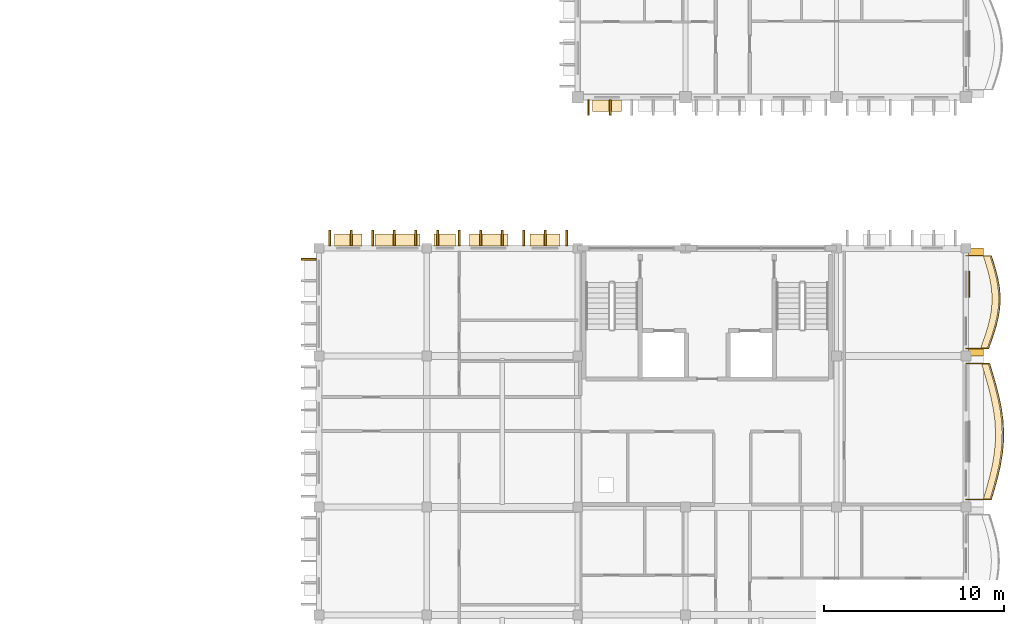
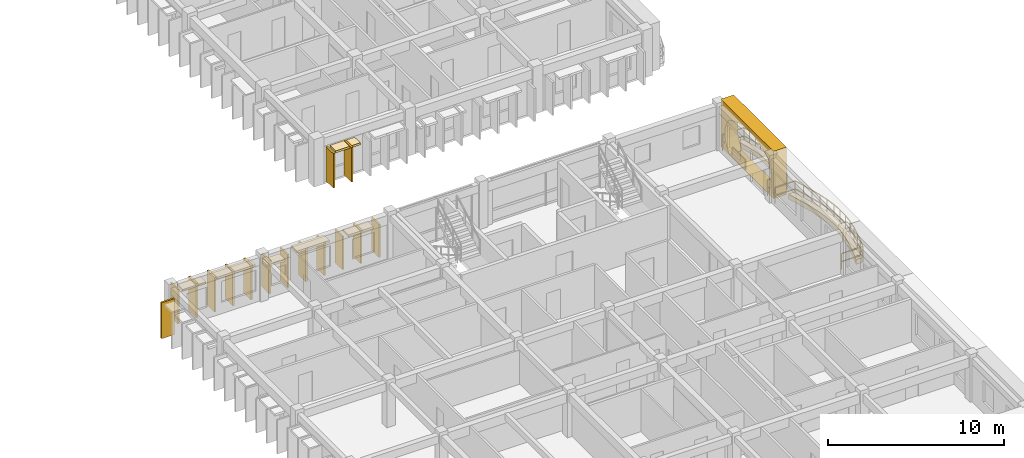
# One storey, part 64 of 70: 25 coverings, 2 railings.
"""IFC4 building model written with IfcOpenShell, lengths in metres."""

from ifc_helpers import new_model, si_unit, direction, frame, origin, origin_2d, place, context, subcontext, project, spatial, polyline, rectangle, outline, extrude, material, layer, layer_set, type_object, element, save


model = new_model("IFC4")

# Units and contexts
model_context = context("Model", 3, precision=1e-05, world=origin(), true_north=direction((0.0, 1.0)))
body_context = subcontext(model_context, "Body", "Model", "MODEL_VIEW")
ifc_project = project(units=[si_unit("LENGTHUNIT", "METRE"), si_unit("AREAUNIT", "SQUARE_METRE"), si_unit("VOLUMEUNIT", "CUBIC_METRE"), si_unit("PLANEANGLEUNIT", "RADIAN"), si_unit("MASSUNIT", "GRAM", prefix="KILO"), si_unit("THERMODYNAMICTEMPERATUREUNIT", "KELVIN")], contexts=[model_context])

# Site, building, storey
site_placement = place(None, origin())
site = spatial("IfcSite", under=ifc_project, at=site_placement, CompositionType="ELEMENT")
building_placement = place(site_placement, origin())
building = spatial("IfcBuilding", under=site, at=building_placement, Name="Thalorik Housing Commons", CompositionType="ELEMENT")
storey_placement = place(building_placement, frame((0.0, 0.0, 14.699951171875)))
storey = spatial("IfcBuildingStorey", under=building, at=storey_placement, Name="L04", CompositionType="ELEMENT", Elevation=14.699951171875)

# Coverings
ifc_material_1 = material(Name="Cobalt blue glazed ceramic facade tile panel", Category="masonry")
ifc_layer_1 = layer(ifc_material_1, 0.06005859375, Name="Cobalt blue glazed ceramic facade tile panel", Category="masonry")
ifc_layer_set_1 = layer_set([ifc_layer_1], Name="Cobalt blue glazed ceramic facade tile panel")
covering_type_1 = type_object("IfcCoveringType", Name="ARC-CLD-BLU-60", PredefinedType="CLADDING", material=ifc_layer_set_1)
covering_1_placement = place(storey_placement, frame((174.172607421875, 69.989990234375, 0.05029296875), z_axis=(0.0, 0.0, 1.0), x_axis=(0.0, 1.0, 0.0)))
element("IfcCovering", 1, at=covering_1_placement, inside=storey, type_object=covering_type_1, Name="L04 De Stijl Recessed Window Spandrel 4834", PredefinedType="CLADDING", context=body_context, shape_type="SweptSolid", body=[
    extrude(rectangle(XDim=1.449951171875, YDim=0.06005859375, at=origin_2d()), origin(), (0.0, 0.0, 1.0), 0.699951171875),
])
ifc_material_2 = material(Name="Precast concrete C40/50", Category="concrete")
ifc_layer_2 = layer(ifc_material_2, 0.85009765625, Name="Precast concrete C40/50", Category="concrete")
ifc_layer_set_2 = layer_set([ifc_layer_2], Name="Precast concrete C40/50")
covering_type_2 = type_object("IfcCoveringType", Name="ARC-CLD-CUSH-850", PredefinedType="CLADDING", material=ifc_layer_set_2)
covering_2_placement = place(storey_placement, frame((174.5625, 69.0, 0.0), z_axis=(0.0, 0.0, 1.0), x_axis=(0.0, 1.0, 0.0)))
element("IfcCovering", 2, at=covering_2_placement, inside=storey, type_object=covering_type_2, Name="L04 White Precast Curved Cushion Bay Frame 4833", PredefinedType="CLADDING", context=body_context, shape_type="SweptSolid", body=[
    extrude(outline(polyline([(-3.0, 0.0), (3.0, 0.0), (3.0, 3.300048828125), (-3.0, 3.300048828125), (-3.0, 0.0)]), holes=[polyline([(2.0400390625, 0.02490234375), (2.3232421875, 0.42431640625), (2.493408203125, 0.8232421875), (2.550048828125, 1.222412109375), (2.493408203125, 1.62158203125), (2.3232421875, 2.020751953125), (2.0400390625, 2.419921875), (1.66748046875, 2.608642578125), (1.294921875, 2.7568359375), (0.922607421875, 2.876953125), (0.550048828125, 2.96630859375), (0.177490234375, 3.021484375), (-0.195068359375, 3.0400390625), (-0.5673828125, 3.021484375), (-0.93994140625, 2.96630859375), (-1.3125, 2.876953125), (-1.68505859375, 2.7568359375), (-2.0576171875, 2.608642578125), (-2.429931640625, 2.419921875), (-2.55029296875, 2.020751953125), (-2.62255859375, 1.62158203125), (-2.646484375, 1.222412109375), (-2.62255859375, 0.8232421875), (-2.55029296875, 0.42431640625), (-2.429931640625, 0.02490234375), (2.0400390625, 0.02490234375)])]), frame((0.0, 0.425048828125, 0.0), z_axis=(0.0, -1.0, 0.0), x_axis=(1.0, 0.0, 0.0)), (0.0, 0.0, 1.0), 0.85009765625),
])
ifc_layer_3 = layer(ifc_material_2, 0.85009765625, Name="Precast concrete C40/50", Category="concrete")
ifc_layer_set_3 = layer_set([ifc_layer_3], Name="Precast concrete C40/50")
covering_type_3 = type_object("IfcCoveringType", Name="ARC-CLD-FIN-850", PredefinedType="CLADDING", material=ifc_layer_set_3)
for number, where, z_axis, x_axis, name in (
    (3, (153.0, 79.822509765625, 0.0400390625), (0.0, 0.0, 1.0), (1.0, 0.0, 0.0), "L04 Courtyard Precast Vertical Brise-Soleil Fin 2169"),
    (4, (154.199951171875, 79.822509765625, 0.0400390625), (0.0, 0.0, 1.0), (1.0, 0.0, 0.0), "L04 Courtyard Precast Vertical Brise-Soleil Fin 2170"),
):
    element("IfcCovering", number, at=place(storey_placement, frame(where, z_axis=z_axis, x_axis=x_axis)), inside=storey, type_object=covering_type_3, Name=name, PredefinedType="CLADDING", context=body_context, shape_type="SweptSolid", body=[
        extrude(rectangle(XDim=0.110107421875, YDim=0.85009765625, at=origin_2d()), origin(), (0.0, 0.0, 1.0), 2.39501953125),
    ])
for number, where, z_axis, x_axis, name in (
    (5, (151.800048828125, 72.5625, 0.0400390625), (0.0, 0.0, 1.0), (-1.0, 0.0, 0.0), "L04 Courtyard Precast Vertical Brise-Soleil Fin 4758"),
    (6, (150.60009765625, 72.5625, 0.0400390625), (0.0, 0.0, 1.0), (-1.0, 0.0, 0.0), "L04 Courtyard Precast Vertical Brise-Soleil Fin 4759"),
    (7, (149.39990234375, 72.5625, 0.0400390625), (0.0, 0.0, 1.0), (-1.0, 0.0, 0.0), "L04 Courtyard Precast Vertical Brise-Soleil Fin 4760"),
    (8, (148.199951171875, 72.5625, 0.0400390625), (0.0, 0.0, 1.0), (-1.0, 0.0, 0.0), "L04 Courtyard Precast Vertical Brise-Soleil Fin 4761"),
    (9, (147.0, 72.5625, 0.0400390625), (0.0, 0.0, 1.0), (-1.0, 0.0, 0.0), "L04 Courtyard Precast Vertical Brise-Soleil Fin 4762"),
    (10, (145.800048828125, 72.5625, 0.0400390625), (0.0, 0.0, 1.0), (-1.0, 0.0, 0.0), "L04 Courtyard Precast Vertical Brise-Soleil Fin 4763"),
    (11, (144.60009765625, 72.5625, 0.0400390625), (0.0, 0.0, 1.0), (-1.0, 0.0, 0.0), "L04 Courtyard Precast Vertical Brise-Soleil Fin 4764"),
):
    element("IfcCovering", number, at=place(storey_placement, frame(where, z_axis=z_axis, x_axis=x_axis)), inside=storey, type_object=covering_type_3, Name=name, PredefinedType="CLADDING", context=body_context, shape_type="SweptSolid", body=[
        extrude(rectangle(XDim=0.110107421875, YDim=0.85009765625, at=origin_2d()), origin(), (0.0, 0.0, 1.0), 2.294921875),
    ])
for number, where, z_axis, x_axis, name in (
    (12, (143.39990234375, 72.5625, 0.0400390625), (0.0, 0.0, 1.0), (-1.0, 0.0, 0.0), "L04 Courtyard Precast Vertical Brise-Soleil Fin 4768"),
    (13, (142.199951171875, 72.5625, 0.0400390625), (0.0, 0.0, 1.0), (-1.0, 0.0, 0.0), "L04 Courtyard Precast Vertical Brise-Soleil Fin 4769"),
    (14, (141.0, 72.5625, 0.0400390625), (0.0, 0.0, 1.0), (-1.0, 0.0, 0.0), "L04 Courtyard Precast Vertical Brise-Soleil Fin 4770"),
    (15, (139.800048828125, 72.5625, 0.0400390625), (0.0, 0.0, 1.0), (-1.0, 0.0, 0.0), "L04 Courtyard Precast Vertical Brise-Soleil Fin 4771"),
    (16, (138.60009765625, 72.5625, 0.0400390625), (0.0, 0.0, 1.0), (-1.0, 0.0, 0.0), "L04 Courtyard Precast Vertical Brise-Soleil Fin 4772"),
):
    element("IfcCovering", number, at=place(storey_placement, frame(where, z_axis=z_axis, x_axis=x_axis)), inside=storey, type_object=covering_type_3, Name=name, PredefinedType="CLADDING", context=body_context, shape_type="SweptSolid", body=[
        extrude(rectangle(XDim=0.110107421875, YDim=0.85009765625, at=origin_2d()), origin(), (0.0, 0.0, 1.0), 2.39501953125),
    ])
covering_3_placement = place(storey_placement, frame((137.4375, 71.39990234375, 0.0400390625), z_axis=(0.0, 0.0, 1.0), x_axis=(0.0, -1.0, 0.0)))
element("IfcCovering", 17, at=covering_3_placement, inside=storey, type_object=covering_type_3, Name="L04 Courtyard Precast Vertical Brise-Soleil Fin 4775", PredefinedType="CLADDING", context=body_context, shape_type="SweptSolid", body=[
    extrude(rectangle(XDim=0.110107421875, YDim=0.85009765625, at=origin_2d()), origin(), (0.0, 0.0, 1.0), 2.4951171875),
])
ifc_layer_4 = layer(ifc_material_2, 0.64990234375, Name="Precast concrete C40/50", Category="concrete")
ifc_layer_set_4 = layer_set([ifc_layer_4], Name="Precast concrete C40/50")
covering_type_4 = type_object("IfcCoveringType", Name="ARC-CLD-HOOD-650", PredefinedType="CLADDING", material=ifc_layer_set_4)
covering_4_placement = place(storey_placement, frame((154.030029296875, 79.922607421875, 2.27001953125), z_axis=(0.0, 0.0, 1.0), x_axis=(1.0, 0.0, 0.0)))
element("IfcCovering", 18, at=covering_4_placement, inside=storey, type_object=covering_type_4, Name="L04 Courtyard Precast Window Sun-Hood 2174", PredefinedType="CLADDING", context=body_context, shape_type="SweptSolid", body=[
    extrude(rectangle(XDim=1.6201171875, YDim=0.64990234375, at=origin_2d()), origin(), (0.0, 0.0, 1.0), 0.139892578125),
])
covering_5_placement = place(storey_placement, frame((150.5751953125, 72.46240234375, 2.169921875), z_axis=(0.0, 0.0, 1.0), x_axis=(-1.0, 0.0, 0.0)))
element("IfcCovering", 19, at=covering_5_placement, inside=storey, type_object=covering_type_4, Name="L04 Courtyard Precast Window Sun-Hood 4765", PredefinedType="CLADDING", context=body_context, shape_type="SweptSolid", body=[
    extrude(rectangle(XDim=1.659912109375, YDim=0.64990234375, at=origin_2d()), origin(), (0.0, 0.0, 1.0), 0.139892578125),
])
covering_6_placement = place(storey_placement, frame((147.4453125, 72.46240234375, 2.22509765625), z_axis=(0.0, 0.0, 1.0), x_axis=(-1.0, 0.0, 0.0)))
element("IfcCovering", 20, at=covering_6_placement, inside=storey, type_object=covering_type_4, Name="L04 Courtyard Precast Window Sun-Hood 4766", PredefinedType="CLADDING", context=body_context, shape_type="SweptSolid", body=[
    extrude(rectangle(XDim=2.159912109375, YDim=0.64990234375, at=origin_2d()), origin(), (0.0, 0.0, 1.0), 0.139892578125),
])
covering_7_placement = place(storey_placement, frame((145.000244140625, 72.46240234375, 1.93994140625), z_axis=(0.0, 0.0, 1.0), x_axis=(-1.0, 0.0, 0.0)))
element("IfcCovering", 21, at=covering_7_placement, inside=storey, type_object=covering_type_4, Name="L04 Courtyard Precast Window Sun-Hood 4767", PredefinedType="CLADDING", context=body_context, shape_type="SweptSolid", body=[
    extrude(rectangle(XDim=1.18994140625, YDim=0.64990234375, at=origin_2d()), origin(), (0.0, 0.0, 1.0), 0.139892578125),
])
covering_8_placement = place(storey_placement, frame((142.3701171875, 72.46240234375, 2.25), z_axis=(0.0, 0.0, 1.0), x_axis=(-1.0, 0.0, 0.0)))
element("IfcCovering", 22, at=covering_8_placement, inside=storey, type_object=covering_type_4, Name="L04 Courtyard Precast Window Sun-Hood 4773", PredefinedType="CLADDING", context=body_context, shape_type="SweptSolid", body=[
    extrude(rectangle(XDim=2.52001953125, YDim=0.64990234375, at=origin_2d()), origin(), (0.0, 0.0, 1.0), 0.139892578125),
])
covering_9_placement = place(storey_placement, frame((139.6298828125, 72.46240234375, 2.18994140625), z_axis=(0.0, 0.0, 1.0), x_axis=(-1.0, 0.0, 0.0)))
element("IfcCovering", 23, at=covering_9_placement, inside=storey, type_object=covering_type_4, Name="L04 Courtyard Precast Window Sun-Hood 4774", PredefinedType="CLADDING", context=body_context, shape_type="SweptSolid", body=[
    extrude(rectangle(XDim=1.5400390625, YDim=0.64990234375, at=origin_2d()), origin(), (0.0, 0.0, 1.0), 0.139892578125),
])
ifc_material_3 = material(Name="Planted vegetated substrate and terracotta trough", Category="masonry")
ifc_layer_5 = layer(ifc_material_3, 0.340087890625, Name="Planted vegetated substrate and terracotta trough", Category="masonry")
ifc_layer_set_5 = layer_set([ifc_layer_5], Name="Planted vegetated substrate and terracotta trough")
covering_type_5 = type_object("IfcCoveringType", Name="ARC-COV-PLANTER", PredefinedType="USERDEFINED", material=ifc_layer_set_5)
covering_10_placement = place(storey_placement, origin())
element("IfcCovering", 24, at=covering_10_placement, inside=storey, type_object=covering_type_5, Name="L04 Balcony Slab-Edge Planted Trough 5668", ObjectType="PLANTER", PredefinedType="USERDEFINED", context=body_context, shape_type="SweptSolid", body=[
    extrude(outline(polyline([(175.335693359375, 58.02001953125), (175.5234375, 58.64990234375), (175.695556640625, 59.280029296875), (175.83984375, 59.909912109375), (175.946533203125, 60.5400390625), (176.00830078125, 61.169921875), (176.02099609375, 61.800048828125), (175.983642578125, 62.429931640625), (175.89892578125, 63.06005859375), (175.77294921875, 63.68994140625), (175.6142578125, 64.320068359375), (175.43408203125, 64.949951171875), (175.2451171875, 65.580078125), (174.864990234375, 65.580078125), (175.05419921875, 64.949951171875), (175.234375, 64.320068359375), (175.392822265625, 63.68994140625), (175.51904296875, 63.06005859375), (175.603515625, 62.429931640625), (175.640869140625, 61.800048828125), (175.62841796875, 61.169921875), (175.56640625, 60.5400390625), (175.459716796875, 59.909912109375), (175.3154296875, 59.280029296875), (175.1435546875, 58.64990234375), (174.955810546875, 58.02001953125), (175.335693359375, 58.02001953125)])), origin(), (0.0, 0.0, 1.0), 0.340087890625),
])
covering_11_placement = place(storey_placement, origin())
element("IfcCovering", 25, at=covering_11_placement, inside=storey, type_object=covering_type_5, Name="L04 Balcony Slab-Edge Planted Trough 5669", ObjectType="PLANTER", PredefinedType="USERDEFINED", context=body_context, shape_type="SweptSolid", body=[
    extrude(outline(polyline([(175.186767578125, 66.419921875), (175.33984375, 66.85009765625), (175.486083984375, 67.280029296875), (175.61572265625, 67.7099609375), (175.719970703125, 68.139892578125), (175.791748046875, 68.570068359375), (175.826904296875, 69.0), (175.8232421875, 69.429931640625), (175.781494140625, 69.860107421875), (175.70556640625, 70.2900390625), (175.600830078125, 70.719970703125), (175.4755859375, 71.14990234375), (175.338623046875, 71.580078125), (174.958740234375, 71.580078125), (175.095458984375, 71.14990234375), (175.220703125, 70.719970703125), (175.325439453125, 70.2900390625), (175.401611328125, 69.860107421875), (175.443115234375, 69.429931640625), (175.447021484375, 69.0), (175.411865234375, 68.570068359375), (175.33984375, 68.139892578125), (175.235595703125, 67.7099609375), (175.106201171875, 67.280029296875), (174.959716796875, 66.85009765625), (174.806884765625, 66.419921875), (175.186767578125, 66.419921875)])), origin(), (0.0, 0.0, 1.0), 0.340087890625),
])

# Railings
ifc_material_4 = material(Name="Steel S355", Category="steel")
railing_type_1 = type_object("IfcRailingType", Name="ARC-RL-BAL-112", PredefinedType="BALUSTRADE", material=ifc_material_4)
railing_1_placement = place(storey_placement, frame((174.0, 58.02001953125, 0.0)))
element("IfcRailing", 26, at=railing_1_placement, inside=storey, type_object=railing_type_1, Name="L04 Cushion Balcony Guardrail 352", PredefinedType="BALUSTRADE", context=body_context, shape_type="SweptSolid", body=[
    extrude(rectangle(XDim=0.050048828125, YDim=0.050048828125, at=origin_2d()), frame((0.0, 0.0, 1.09521484375), z_axis=(1.0, 0.0, 0.0), x_axis=(0.0, 1.0, 0.0)), (0.0, 0.0, 1.0), 1.40576171875),
    extrude(rectangle(XDim=0.050048828125, YDim=0.050048828125, at=origin_2d()), frame((0.0, 0.0, 0.53515625), z_axis=(1.0, 0.0, 0.0), x_axis=(0.0, 1.0, 0.0)), (0.0, 0.0, 1.0), 1.40576171875),
    extrude(rectangle(XDim=0.050048828125, YDim=0.050048828125, at=origin_2d()), frame((1.40576171875, 0.0, 1.09521484375), z_axis=(0.285643540825, 0.958335936708, 0.0), x_axis=(-0.958335936708, 0.285643540825, 0.0)), (0.0, 0.0, 1.0), 0.6572265625),
    extrude(rectangle(XDim=0.050048828125, YDim=0.050048828125, at=origin_2d()), frame((1.40576171875, 0.0, 0.53515625), z_axis=(0.285643540825, 0.958335936708, 0.0), x_axis=(-0.958335936708, 0.285643540825, 0.0)), (0.0, 0.0, 1.0), 0.6572265625),
    extrude(rectangle(XDim=0.050048828125, YDim=0.050048828125, at=origin_2d()), frame((1.593505859375, 0.6298828125, 1.09521484375), z_axis=(0.26314903414, 0.964755194768, 0.0), x_axis=(-0.964755194768, 0.26314903414, 0.0)), (0.0, 0.0, 1.0), 0.653076171875),
    extrude(rectangle(XDim=0.050048828125, YDim=0.050048828125, at=origin_2d()), frame((1.593505859375, 0.6298828125, 0.53515625), z_axis=(0.26314903414, 0.964755194768, 0.0), x_axis=(-0.964755194768, 0.26314903414, 0.0)), (0.0, 0.0, 1.0), 0.653076171875),
    extrude(rectangle(XDim=0.050048828125, YDim=0.050048828125, at=origin_2d()), frame((1.765380859375, 1.260009765625, 1.09521484375), z_axis=(0.223645344771, 0.974670590386, 0.0), x_axis=(-0.974670590386, 0.223645344771, 0.0)), (0.0, 0.0, 1.0), 0.646240234375),
    extrude(rectangle(XDim=0.050048828125, YDim=0.050048828125, at=origin_2d()), frame((1.765380859375, 1.260009765625, 0.53515625), z_axis=(0.223645344771, 0.974670590386, 0.0), x_axis=(-0.974670590386, 0.223645344771, 0.0)), (0.0, 0.0, 1.0), 0.646240234375),
    extrude(rectangle(XDim=0.050048828125, YDim=0.050048828125, at=origin_2d()), frame((1.909912109375, 1.889892578125, 1.09521484375), z_axis=(0.166938291394, 0.98596734574, 0.0), x_axis=(-0.98596734574, 0.166938291394, 0.0)), (0.0, 0.0, 1.0), 0.63916015625),
    extrude(rectangle(XDim=0.050048828125, YDim=0.050048828125, at=origin_2d()), frame((1.909912109375, 1.889892578125, 0.53515625), z_axis=(0.166938291394, 0.98596734574, 0.0), x_axis=(-0.98596734574, 0.166938291394, 0.0)), (0.0, 0.0, 1.0), 0.63916015625),
    extrude(rectangle(XDim=0.050048828125, YDim=0.050048828125, at=origin_2d()), frame((2.0166015625, 2.52001953125, 1.09521484375), z_axis=(0.097593898963, 0.995226321439, 0.0), x_axis=(-0.995226321439, 0.097593898963, 0.0)), (0.0, 0.0, 1.0), 0.6328125),
    extrude(rectangle(XDim=0.050048828125, YDim=0.050048828125, at=origin_2d()), frame((2.0166015625, 2.52001953125, 0.53515625), z_axis=(0.097593898963, 0.995226321439, 0.0), x_axis=(-0.995226321439, 0.097593898963, 0.0)), (0.0, 0.0, 1.0), 0.6328125),
    extrude(rectangle(XDim=0.050048828125, YDim=0.050048828125, at=origin_2d()), frame((2.078369140625, 3.14990234375, 1.09521484375), z_axis=(0.019755926565, 0.999804832638, 0.0), x_axis=(-0.999804832638, 0.019755926565, 0.0)), (0.0, 0.0, 1.0), 0.63037109375),
    extrude(rectangle(XDim=0.050048828125, YDim=0.050048828125, at=origin_2d()), frame((2.078369140625, 3.14990234375, 0.53515625), z_axis=(0.019755926565, 0.999804832638, 0.0), x_axis=(-0.999804832638, 0.019755926565, 0.0)), (0.0, 0.0, 1.0), 0.63037109375),
    extrude(rectangle(XDim=0.050048828125, YDim=0.050048828125, at=origin_2d()), frame((2.0908203125, 3.780029296875, 1.09521484375), z_axis=(-0.05881274918, 0.998269032142, 0.0), x_axis=(-0.998269032142, -0.05881274918, 0.0)), (0.0, 0.0, 1.0), 0.630859375),
    extrude(rectangle(XDim=0.050048828125, YDim=0.050048828125, at=origin_2d()), frame((2.0908203125, 3.780029296875, 0.53515625), z_axis=(-0.05881274918, 0.998269032142, 0.0), x_axis=(-0.998269032142, -0.05881274918, 0.0)), (0.0, 0.0, 1.0), 0.630859375),
    extrude(rectangle(XDim=0.050048828125, YDim=0.050048828125, at=origin_2d()), frame((2.0537109375, 4.409912109375, 1.09521484375), z_axis=(-0.133245190667, 0.991083104066, 0.0), x_axis=(-0.991083104066, -0.133245190667, 0.0)), (0.0, 0.0, 1.0), 0.6357421875),
    extrude(rectangle(XDim=0.050048828125, YDim=0.050048828125, at=origin_2d()), frame((2.0537109375, 4.409912109375, 0.53515625), z_axis=(-0.133245190667, 0.991083104066, 0.0), x_axis=(-0.991083104066, -0.133245190667, 0.0)), (0.0, 0.0, 1.0), 0.6357421875),
    extrude(rectangle(XDim=0.050048828125, YDim=0.050048828125, at=origin_2d()), frame((1.968994140625, 5.0400390625, 1.09521484375), z_axis=(-0.196116135138, 0.980580675691, 0.0), x_axis=(-0.980580675691, -0.196116135138, 0.0)), (0.0, 0.0, 1.0), 0.642333984375),
    extrude(rectangle(XDim=0.050048828125, YDim=0.050048828125, at=origin_2d()), frame((1.968994140625, 5.0400390625, 0.53515625), z_axis=(-0.196116135138, 0.980580675691, 0.0), x_axis=(-0.980580675691, -0.196116135138, 0.0)), (0.0, 0.0, 1.0), 0.642333984375),
    extrude(rectangle(XDim=0.050048828125, YDim=0.050048828125, at=origin_2d()), frame((1.843017578125, 5.669921875, 1.09521484375), z_axis=(-0.244214929817, 0.969721129013, 0.0), x_axis=(-0.969721129013, -0.244214929817, 0.0)), (0.0, 0.0, 1.0), 0.64990234375),
    extrude(rectangle(XDim=0.050048828125, YDim=0.050048828125, at=origin_2d()), frame((1.843017578125, 5.669921875, 0.53515625), z_axis=(-0.244214929817, 0.969721129013, 0.0), x_axis=(-0.969721129013, -0.244214929817, 0.0)), (0.0, 0.0, 1.0), 0.64990234375),
    extrude(rectangle(XDim=0.050048828125, YDim=0.050048828125, at=origin_2d()), frame((1.684326171875, 6.300048828125, 1.09521484375), z_axis=(-0.275016423265, 0.961439528486, 0.0), x_axis=(-0.961439528486, -0.275016423265, 0.0)), (0.0, 0.0, 1.0), 0.655029296875),
    extrude(rectangle(XDim=0.050048828125, YDim=0.050048828125, at=origin_2d()), frame((1.684326171875, 6.300048828125, 0.53515625), z_axis=(-0.275016423265, 0.961439528486, 0.0), x_axis=(-0.961439528486, -0.275016423265, 0.0)), (0.0, 0.0, 1.0), 0.655029296875),
    extrude(rectangle(XDim=0.050048828125, YDim=0.050048828125, at=origin_2d()), frame((1.504150390625, 6.929931640625, 1.09521484375), z_axis=(-0.287586184254, 0.957754763301, 0.0), x_axis=(-0.957754763301, -0.287586184254, 0.0)), (0.0, 0.0, 1.0), 0.657958984375),
    extrude(rectangle(XDim=0.050048828125, YDim=0.050048828125, at=origin_2d()), frame((1.504150390625, 6.929931640625, 0.53515625), z_axis=(-0.287586184254, 0.957754763301, 0.0), x_axis=(-0.957754763301, -0.287586184254, 0.0)), (0.0, 0.0, 1.0), 0.657958984375),
    extrude(rectangle(XDim=0.050048828125, YDim=0.050048828125, at=origin_2d()), frame((1.31494140625, 7.56005859375, 1.09521484375), z_axis=(-1.0, 0.0, 0.0), x_axis=(0.0, -1.0, 0.0)), (0.0, 0.0, 1.0), 1.31494140625),
    extrude(rectangle(XDim=0.050048828125, YDim=0.050048828125, at=origin_2d()), frame((1.31494140625, 7.56005859375, 0.53515625), z_axis=(-1.0, 0.0, 0.0), x_axis=(0.0, -1.0, 0.0)), (0.0, 0.0, 1.0), 1.31494140625),
    extrude(rectangle(XDim=0.0419921875, YDim=0.0419921875, at=origin_2d()), origin(), (0.0, 0.0, 1.0), 1.070068359375),
    extrude(rectangle(XDim=0.0419921875, YDim=0.0419921875, at=origin_2d()), frame((1.40576171875, 0.0, 0.0)), (0.0, 0.0, 1.0), 1.070068359375),
    extrude(rectangle(XDim=0.0419921875, YDim=0.0419921875, at=origin_2d()), frame((1.593505859375, 0.6298828125, 0.0)), (0.0, 0.0, 1.0), 1.070068359375),
    extrude(rectangle(XDim=0.0419921875, YDim=0.0419921875, at=origin_2d()), frame((1.765380859375, 1.260009765625, 0.0)), (0.0, 0.0, 1.0), 1.070068359375),
    extrude(rectangle(XDim=0.0419921875, YDim=0.0419921875, at=origin_2d()), frame((1.909912109375, 1.889892578125, 0.0)), (0.0, 0.0, 1.0), 1.070068359375),
    extrude(rectangle(XDim=0.0419921875, YDim=0.0419921875, at=origin_2d()), frame((2.0166015625, 2.52001953125, 0.0)), (0.0, 0.0, 1.0), 1.070068359375),
    extrude(rectangle(XDim=0.0419921875, YDim=0.0419921875, at=origin_2d()), frame((2.078369140625, 3.14990234375, 0.0)), (0.0, 0.0, 1.0), 1.070068359375),
    extrude(rectangle(XDim=0.0419921875, YDim=0.0419921875, at=origin_2d()), frame((2.0908203125, 3.780029296875, 0.0)), (0.0, 0.0, 1.0), 1.070068359375),
    extrude(rectangle(XDim=0.0419921875, YDim=0.0419921875, at=origin_2d()), frame((2.0537109375, 4.409912109375, 0.0)), (0.0, 0.0, 1.0), 1.070068359375),
    extrude(rectangle(XDim=0.0419921875, YDim=0.0419921875, at=origin_2d()), frame((1.968994140625, 5.0400390625, 0.0)), (0.0, 0.0, 1.0), 1.070068359375),
    extrude(rectangle(XDim=0.0419921875, YDim=0.0419921875, at=origin_2d()), frame((1.843017578125, 5.669921875, 0.0)), (0.0, 0.0, 1.0), 1.070068359375),
    extrude(rectangle(XDim=0.0419921875, YDim=0.0419921875, at=origin_2d()), frame((1.684326171875, 6.300048828125, 0.0)), (0.0, 0.0, 1.0), 1.070068359375),
    extrude(rectangle(XDim=0.0419921875, YDim=0.0419921875, at=origin_2d()), frame((1.504150390625, 6.929931640625, 0.0)), (0.0, 0.0, 1.0), 1.070068359375),
    extrude(rectangle(XDim=0.0419921875, YDim=0.0419921875, at=origin_2d()), frame((1.31494140625, 7.56005859375, 0.0)), (0.0, 0.0, 1.0), 1.070068359375),
    extrude(rectangle(XDim=0.0419921875, YDim=0.0419921875, at=origin_2d()), frame((0.0, 7.56005859375, 0.0)), (0.0, 0.0, 1.0), 1.070068359375),
])
railing_type_2 = type_object("IfcRailingType", Name="ARC-RL-BAL-115", PredefinedType="BALUSTRADE", material=ifc_material_4)
railing_2_placement = place(storey_placement, frame((174.0, 66.419921875, 0.0)))
element("IfcRailing", 27, at=railing_2_placement, inside=storey, type_object=railing_type_2, Name="L04 Cushion Balcony Guardrail 353", PredefinedType="BALUSTRADE", context=body_context, shape_type="SweptSolid", body=[
    extrude(rectangle(XDim=0.050048828125, YDim=0.050048828125, at=origin_2d()), frame((0.0, 0.0, 1.125), z_axis=(1.0, 0.0, 0.0), x_axis=(0.0, 1.0, 0.0)), (0.0, 0.0, 1.0), 1.2568359375),
    extrude(rectangle(XDim=0.050048828125, YDim=0.050048828125, at=origin_2d()), frame((0.0, 0.0, 0.5498046875), z_axis=(1.0, 0.0, 0.0), x_axis=(0.0, 1.0, 0.0)), (0.0, 0.0, 1.0), 1.2568359375),
    extrude(rectangle(XDim=0.050048828125, YDim=0.050048828125, at=origin_2d()), frame((1.2568359375, 0.0, 1.125), z_axis=(0.335252272446, 0.942128395613, 0.0), x_axis=(-0.942128395613, 0.335252272446, 0.0)), (0.0, 0.0, 1.0), 0.45654296875),
    extrude(rectangle(XDim=0.050048828125, YDim=0.050048828125, at=origin_2d()), frame((1.2568359375, 0.0, 0.5498046875), z_axis=(0.335252272446, 0.942128395613, 0.0), x_axis=(-0.942128395613, 0.335252272446, 0.0)), (0.0, 0.0, 1.0), 0.45654296875),
    extrude(rectangle(XDim=0.050048828125, YDim=0.050048828125, at=origin_2d()), frame((1.409912109375, 0.43017578125, 1.125), z_axis=(0.322028024828, 0.94673013643, 0.0), x_axis=(-0.94673013643, 0.322028024828, 0.0)), (0.0, 0.0, 1.0), 0.4541015625),
    extrude(rectangle(XDim=0.050048828125, YDim=0.050048828125, at=origin_2d()), frame((1.409912109375, 0.43017578125, 0.5498046875), z_axis=(0.322028024828, 0.94673013643, 0.0), x_axis=(-0.94673013643, 0.322028024828, 0.0)), (0.0, 0.0, 1.0), 0.4541015625),
    extrude(rectangle(XDim=0.050048828125, YDim=0.050048828125, at=origin_2d()), frame((1.55615234375, 0.860107421875, 1.125), z_axis=(0.28869433299, 0.957421319012, 0.0), x_axis=(-0.957421319012, 0.28869433299, 0.0)), (0.0, 0.0, 1.0), 0.448974609375),
    extrude(rectangle(XDim=0.050048828125, YDim=0.050048828125, at=origin_2d()), frame((1.55615234375, 0.860107421875, 0.5498046875), z_axis=(0.28869433299, 0.957421319012, 0.0), x_axis=(-0.957421319012, 0.28869433299, 0.0)), (0.0, 0.0, 1.0), 0.448974609375),
    extrude(rectangle(XDim=0.050048828125, YDim=0.050048828125, at=origin_2d()), frame((1.685791015625, 1.2900390625, 1.125), z_axis=(0.235126086267, 0.971964877738, 0.0), x_axis=(-0.971964877738, 0.235126086267, 0.0)), (0.0, 0.0, 1.0), 0.4423828125),
    extrude(rectangle(XDim=0.050048828125, YDim=0.050048828125, at=origin_2d()), frame((1.685791015625, 1.2900390625, 0.5498046875), z_axis=(0.235126086267, 0.971964877738, 0.0), x_axis=(-0.971964877738, 0.235126086267, 0.0)), (0.0, 0.0, 1.0), 0.4423828125),
    extrude(rectangle(XDim=0.050048828125, YDim=0.050048828125, at=origin_2d()), frame((1.789794921875, 1.719970703125, 1.125), z_axis=(0.165125099862, 0.986272630359, 0.0), x_axis=(-0.986272630359, 0.165125099862, 0.0)), (0.0, 0.0, 1.0), 0.436279296875),
    extrude(rectangle(XDim=0.050048828125, YDim=0.050048828125, at=origin_2d()), frame((1.789794921875, 1.719970703125, 0.5498046875), z_axis=(0.165125099862, 0.986272630359, 0.0), x_axis=(-0.986272630359, 0.165125099862, 0.0)), (0.0, 0.0, 1.0), 0.436279296875),
    extrude(rectangle(XDim=0.050048828125, YDim=0.050048828125, at=origin_2d()), frame((1.86181640625, 2.150146484375, 1.125), z_axis=(0.08149969607, 0.996673366525, 0.0), x_axis=(-0.996673366525, 0.08149969607, 0.0)), (0.0, 0.0, 1.0), 0.431396484375),
    extrude(rectangle(XDim=0.050048828125, YDim=0.050048828125, at=origin_2d()), frame((1.86181640625, 2.150146484375, 0.5498046875), z_axis=(0.08149969607, 0.996673366525, 0.0), x_axis=(-0.996673366525, 0.08149969607, 0.0)), (0.0, 0.0, 1.0), 0.431396484375),
    extrude(rectangle(XDim=0.050048828125, YDim=0.050048828125, at=origin_2d()), frame((1.89697265625, 2.580078125, 1.125), z_axis=(-0.008517578576, 0.99996372477, 0.0), x_axis=(-0.99996372477, -0.008517578576, 0.0)), (0.0, 0.0, 1.0), 0.429931640625),
    extrude(rectangle(XDim=0.050048828125, YDim=0.050048828125, at=origin_2d()), frame((1.89697265625, 2.580078125, 0.5498046875), z_axis=(-0.008517578576, 0.99996372477, 0.0), x_axis=(-0.99996372477, -0.008517578576, 0.0)), (0.0, 0.0, 1.0), 0.429931640625),
    extrude(rectangle(XDim=0.050048828125, YDim=0.050048828125, at=origin_2d()), frame((1.893310546875, 3.010009765625, 1.125), z_axis=(-0.096594985703, 0.995323770809, 0.0), x_axis=(-0.995323770809, -0.096594985703, 0.0)), (0.0, 0.0, 1.0), 0.43212890625),
    extrude(rectangle(XDim=0.050048828125, YDim=0.050048828125, at=origin_2d()), frame((1.893310546875, 3.010009765625, 0.5498046875), z_axis=(-0.096594985703, 0.995323770809, 0.0), x_axis=(-0.995323770809, -0.096594985703, 0.0)), (0.0, 0.0, 1.0), 0.43212890625),
    extrude(rectangle(XDim=0.050048828125, YDim=0.050048828125, at=origin_2d()), frame((1.8515625, 3.440185546875, 1.125), z_axis=(-0.174455149241, 0.984665121198, 0.0), x_axis=(-0.984665121198, -0.174455149241, 0.0)), (0.0, 0.0, 1.0), 0.4365234375),
    extrude(rectangle(XDim=0.050048828125, YDim=0.050048828125, at=origin_2d()), frame((1.8515625, 3.440185546875, 0.5498046875), z_axis=(-0.174455149241, 0.984665121198, 0.0), x_axis=(-0.984665121198, -0.174455149241, 0.0)), (0.0, 0.0, 1.0), 0.4365234375),
    extrude(rectangle(XDim=0.050048828125, YDim=0.050048828125, at=origin_2d()), frame((1.775390625, 3.8701171875, 1.125), z_axis=(-0.236168531023, 0.97171211012, 0.0), x_axis=(-0.97171211012, -0.236168531023, 0.0)), (0.0, 0.0, 1.0), 0.4423828125),
    extrude(rectangle(XDim=0.050048828125, YDim=0.050048828125, at=origin_2d()), frame((1.775390625, 3.8701171875, 0.5498046875), z_axis=(-0.236168531023, 0.97171211012, 0.0), x_axis=(-0.97171211012, -0.236168531023, 0.0)), (0.0, 0.0, 1.0), 0.4423828125),
    extrude(rectangle(XDim=0.050048828125, YDim=0.050048828125, at=origin_2d()), frame((1.6708984375, 4.300048828125, 1.125), z_axis=(-0.280188385866, 0.959945034065, 0.0), x_axis=(-0.959945034065, -0.280188385866, 0.0)), (0.0, 0.0, 1.0), 0.44775390625),
    extrude(rectangle(XDim=0.050048828125, YDim=0.050048828125, at=origin_2d()), frame((1.6708984375, 4.300048828125, 0.5498046875), z_axis=(-0.280188385866, 0.959945034065, 0.0), x_axis=(-0.959945034065, -0.280188385866, 0.0)), (0.0, 0.0, 1.0), 0.44775390625),
    extrude(rectangle(XDim=0.050048828125, YDim=0.050048828125, at=origin_2d()), frame((1.54541015625, 4.72998046875, 1.125), z_axis=(-0.302891089187, 0.95302517705, 0.0), x_axis=(-0.95302517705, -0.302891089187, 0.0)), (0.0, 0.0, 1.0), 0.451416015625),
    extrude(rectangle(XDim=0.050048828125, YDim=0.050048828125, at=origin_2d()), frame((1.54541015625, 4.72998046875, 0.5498046875), z_axis=(-0.302891089187, 0.95302517705, 0.0), x_axis=(-0.95302517705, -0.302891089187, 0.0)), (0.0, 0.0, 1.0), 0.451416015625),
    extrude(rectangle(XDim=0.050048828125, YDim=0.050048828125, at=origin_2d()), frame((1.40869140625, 5.16015625, 1.125), z_axis=(-1.0, 0.0, 0.0), x_axis=(0.0, -1.0, 0.0)), (0.0, 0.0, 1.0), 1.40869140625),
    extrude(rectangle(XDim=0.050048828125, YDim=0.050048828125, at=origin_2d()), frame((1.40869140625, 5.16015625, 0.5498046875), z_axis=(-1.0, 0.0, 0.0), x_axis=(0.0, -1.0, 0.0)), (0.0, 0.0, 1.0), 1.40869140625),
    extrude(rectangle(XDim=0.0419921875, YDim=0.0419921875, at=origin_2d()), origin(), (0.0, 0.0, 1.0), 1.099853515625),
    extrude(rectangle(XDim=0.0419921875, YDim=0.0419921875, at=origin_2d()), frame((1.2568359375, 0.0, 0.0)), (0.0, 0.0, 1.0), 1.099853515625),
    extrude(rectangle(XDim=0.0419921875, YDim=0.0419921875, at=origin_2d()), frame((1.409912109375, 0.43017578125, 0.0)), (0.0, 0.0, 1.0), 1.099853515625),
    extrude(rectangle(XDim=0.0419921875, YDim=0.0419921875, at=origin_2d()), frame((1.55615234375, 0.860107421875, 0.0)), (0.0, 0.0, 1.0), 1.099853515625),
    extrude(rectangle(XDim=0.0419921875, YDim=0.0419921875, at=origin_2d()), frame((1.685791015625, 1.2900390625, 0.0)), (0.0, 0.0, 1.0), 1.099853515625),
    extrude(rectangle(XDim=0.0419921875, YDim=0.0419921875, at=origin_2d()), frame((1.789794921875, 1.719970703125, 0.0)), (0.0, 0.0, 1.0), 1.099853515625),
    extrude(rectangle(XDim=0.0419921875, YDim=0.0419921875, at=origin_2d()), frame((1.86181640625, 2.150146484375, 0.0)), (0.0, 0.0, 1.0), 1.099853515625),
    extrude(rectangle(XDim=0.0419921875, YDim=0.0419921875, at=origin_2d()), frame((1.89697265625, 2.580078125, 0.0)), (0.0, 0.0, 1.0), 1.099853515625),
    extrude(rectangle(XDim=0.0419921875, YDim=0.0419921875, at=origin_2d()), frame((1.893310546875, 3.010009765625, 0.0)), (0.0, 0.0, 1.0), 1.099853515625),
    extrude(rectangle(XDim=0.0419921875, YDim=0.0419921875, at=origin_2d()), frame((1.8515625, 3.440185546875, 0.0)), (0.0, 0.0, 1.0), 1.099853515625),
    extrude(rectangle(XDim=0.0419921875, YDim=0.0419921875, at=origin_2d()), frame((1.775390625, 3.8701171875, 0.0)), (0.0, 0.0, 1.0), 1.099853515625),
    extrude(rectangle(XDim=0.0419921875, YDim=0.0419921875, at=origin_2d()), frame((1.6708984375, 4.300048828125, 0.0)), (0.0, 0.0, 1.0), 1.099853515625),
    extrude(rectangle(XDim=0.0419921875, YDim=0.0419921875, at=origin_2d()), frame((1.54541015625, 4.72998046875, 0.0)), (0.0, 0.0, 1.0), 1.099853515625),
    extrude(rectangle(XDim=0.0419921875, YDim=0.0419921875, at=origin_2d()), frame((1.40869140625, 5.16015625, 0.0)), (0.0, 0.0, 1.0), 1.099853515625),
    extrude(rectangle(XDim=0.0419921875, YDim=0.0419921875, at=origin_2d()), frame((0.0, 5.16015625, 0.0)), (0.0, 0.0, 1.0), 1.099853515625),
])

save(model, "model.ifc")
